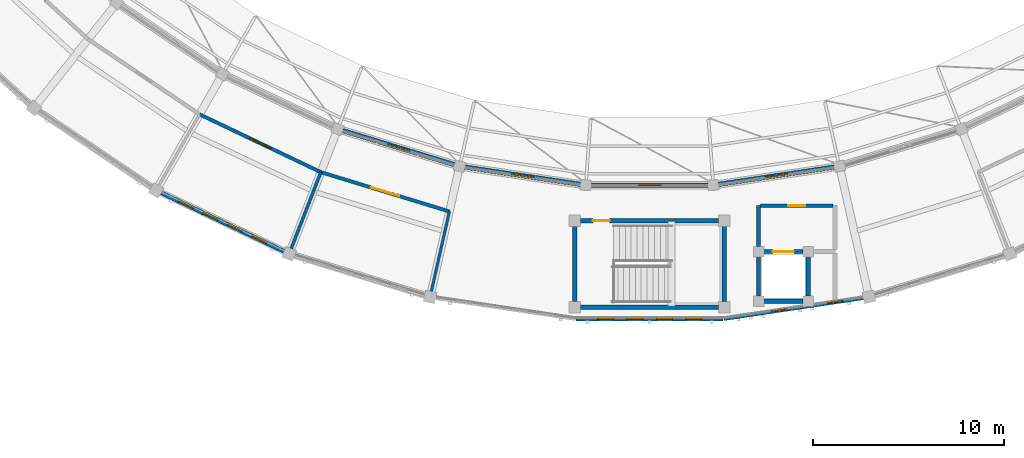
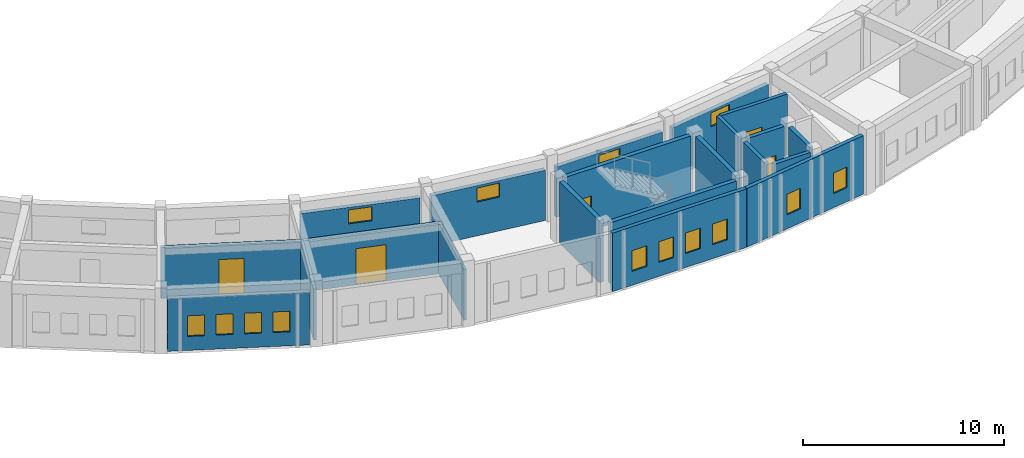
# One storey, part 80 of 112: 21 walls, 14 windows, 5 doors, 19 openings.
"""IFC4 building model written with IfcOpenShell, lengths in metres."""

import ifcopenshell
import ifcopenshell.guid

model = None  # the IFC model being written
_history = None  # IfcOwnerHistory: only IFC2X3 demands one
_inside = {}  # id of a spatial element -> (the spatial element, [elements in it])
_under = {}  # id of a project, library or spatial element -> (it, [spatial elements below it])
_declared = {}  # id of a project -> (the project, [libraries it declares])
_typed = {}  # id of a type object -> (the type object, [elements of that type])
_made_of = {}  # id of a material, layer set ... -> (it, [elements and type objects made of it])


def new_model(schema):
    """Start an empty IFC model of exactly this schema.

    Asked for "IFC4X3", IfcOpenShell would pick the latest addendum, in which some entities
    have other attributes; the version numbers below select the first issue.
    IFC2X3 requires an IfcOwnerHistory on every rooted entity: one is made here for all.
    """
    global model, _history
    if schema == "IFC4X3":
        model = ifcopenshell.file(schema_version=(4, 3, 0, 0))
    else:
        model = ifcopenshell.file(schema=schema)
    _inside.clear()
    _under.clear()
    _declared.clear()
    _typed.clear()
    _made_of.clear()
    _history = None
    if model.schema == "IFC2X3":
        org = make("IfcOrganization", Name="unknown")
        user = make(
            "IfcPersonAndOrganization",
            ThePerson=make("IfcPerson", FamilyName="unknown"),
            TheOrganization=org,
        )
        app = make(
            "IfcApplication",
            ApplicationDeveloper=org,
            Version="unknown",
            ApplicationFullName="unknown",
            ApplicationIdentifier="unknown",
        )
        _history = make(
            "IfcOwnerHistory",
            OwningUser=user,
            OwningApplication=app,
            ChangeAction="ADDED",
            CreationDate=0,
        )
    return model


def make(cls, **values):
    """One entity of the class cls with the attributes given. An attribute that is None is left unset."""
    return model.create_entity(
        cls, **{name: value for name, value in values.items() if value is not None}
    )


def rooted(cls, **values):
    """An entity with a GlobalId (a new one), such as an element, a storey or a relation."""
    return make(cls, GlobalId=ifcopenshell.guid.new(), OwnerHistory=_history, **values)


def si_unit(unit_type, name, prefix=None):
    """IfcSIUnit, for example si_unit("LENGTHUNIT", "METRE", prefix="MILLI")."""
    return make("IfcSIUnit", UnitType=unit_type, Prefix=prefix, Name=name)


def assignment(units):
    """IfcUnitAssignment: the units of a project."""
    return None if units is None else make("IfcUnitAssignment", Units=units)


def point(xyz):
    """IfcCartesianPoint."""
    return None if xyz is None else make("IfcCartesianPoint", Coordinates=xyz)


def direction(xyz):
    """IfcDirection."""
    return None if xyz is None else make("IfcDirection", DirectionRatios=xyz)


def frame(location, z_axis=None, x_axis=None):
    """IfcAxis2Placement3D, a coordinate frame: its origin and axes. An axis left out is left unset."""
    return make(
        "IfcAxis2Placement3D",
        Location=point(location),
        Axis=direction(z_axis),
        RefDirection=direction(x_axis),
    )


def frame_2d(location, x_axis=None):
    """IfcAxis2Placement2D, a coordinate frame in the plane: its origin and x axis."""
    return make(
        "IfcAxis2Placement2D", Location=point(location), RefDirection=direction(x_axis)
    )


def origin():
    """The frame at (0, 0, 0) with its axes left unset."""
    return frame((0.0, 0.0, 0.0))


def place(relative_to, where):
    """IfcLocalPlacement: puts the frame where relative to a parent placement (None: the world)."""
    return make(
        "IfcLocalPlacement", PlacementRelTo=relative_to, RelativePlacement=where
    )


def context(
    kind, dimensions, precision=None, world=None, true_north=None, identifier=None
):
    """IfcGeometricRepresentationContext, for example the 3D "Model" context."""
    return make(
        "IfcGeometricRepresentationContext",
        ContextIdentifier=identifier,
        ContextType=kind,
        CoordinateSpaceDimension=dimensions,
        Precision=precision,
        WorldCoordinateSystem=world,
        TrueNorth=true_north,
    )


def subcontext(parent, identifier, kind, view, scale=None):
    """IfcGeometricRepresentationSubContext, for example "Body" below "Model"."""
    return make(
        "IfcGeometricRepresentationSubContext",
        ContextIdentifier=identifier,
        ContextType=kind,
        ParentContext=parent,
        TargetScale=scale,
        TargetView=view,
    )


def project(units=None, contexts=None):
    """IfcProject with its units and contexts."""
    return rooted(
        "IfcProject",
        Name="project",
        RepresentationContexts=contexts,
        UnitsInContext=assignment(units),
    )


def spatial(cls, under=None, at=None, **own):
    """A site, building, storey or space (cls), placed at a placement, below another one or the project."""
    s = rooted(cls, ObjectPlacement=at, **own)
    if under is not None:
        _under.setdefault(under.id(), (under, []))[1].append(s)
    return s


def profile(cls, at=None, kind="AREA", **sizes):
    """A parametric profile (cls). Its sizes go by their IFC names, for example OverallWidth=200.0."""
    return make(cls, ProfileType=kind, Position=at, **sizes)


def rectangle(**sizes):
    """IfcRectangleProfileDef."""
    return profile("IfcRectangleProfileDef", **sizes)


def extrude(swept, where, along, depth):
    """IfcExtrudedAreaSolid: the profile swept, set in the frame where, extruded along a direction by depth."""
    return make(
        "IfcExtrudedAreaSolid",
        SweptArea=swept,
        Position=where,
        ExtrudedDirection=direction(along),
        Depth=depth,
    )


def shape(context_of_items, identifier, shape_type, items):
    """IfcShapeRepresentation: the items that make up one representation, for example the "Body"."""
    return make(
        "IfcShapeRepresentation",
        ContextOfItems=context_of_items,
        RepresentationIdentifier=identifier,
        RepresentationType=shape_type,
        Items=items,
    )


def material(Name=None, Category=None):
    """IfcMaterial."""
    return make("IfcMaterial", Name=Name, Category=Category)


def layer(
    of_material, thickness, ventilated=None, Name=None, Category=None, Priority=None
):
    """IfcMaterialLayer: one layer of a wall or slab, of a material (None: an air gap)."""
    return make(
        "IfcMaterialLayer",
        Material=of_material,
        LayerThickness=thickness,
        IsVentilated=ventilated,
        Name=Name,
        Category=Category,
        Priority=Priority,
    )


def layer_set(layers, Name=None):
    """IfcMaterialLayerSet."""
    return make("IfcMaterialLayerSet", MaterialLayers=layers, LayerSetName=Name)


def made_of(thing, what):
    """Note that an element or type object is made of a material, layer set ...; save() writes the relation."""
    if what is not None:
        _made_of.setdefault(what.id(), (what, []))[1].append(thing)
    return thing


def type_object(cls, material=None, **own):
    """A type object (cls), such as IfcWallType, which elements share."""
    return made_of(rooted(cls, **own), material)


def element(
    cls,
    number,
    at=None,
    inside=None,
    cuts=None,
    type_object=None,
    material=None,
    context=None,
    identifier="Body",
    shape_type=None,
    held_by="IfcProductDefinitionShape",
    body=None,
    shapes=None,
    **own,
):
    """One element of the class cls, such as IfcWall. Its Tag is "e" and its number.

    at: its placement. inside: the storey or other place that contains it. cuts: it is an
    opening in that element (IfcRelVoidsElement). A single representation is given by context,
    identifier, shape_type and body (its items); several are given by shapes. held_by: the class
    of the entity that holds the representations. save() writes the other relations.
    """
    e = rooted(cls, Tag="e%d" % number, ObjectPlacement=at, **own)
    if body is not None:
        shapes = [shape(context, identifier, shape_type, body)]
    if shapes is not None:
        e.Representation = make(held_by, Representations=shapes)
    if inside is not None:
        _inside.setdefault(inside.id(), (inside, []))[1].append(e)
    if cuts is not None:
        rooted(
            "IfcRelVoidsElement", RelatingBuildingElement=cuts, RelatedOpeningElement=e
        )
    if type_object is not None:
        _typed.setdefault(type_object.id(), (type_object, []))[1].append(e)
    return made_of(e, material)


def fill(opening, filler):
    """IfcRelFillsElement: the door or window that sits in an opening."""
    return rooted(
        "IfcRelFillsElement",
        RelatingOpeningElement=opening,
        RelatedBuildingElement=filler,
    )


def aggregate(whole, parts):
    """IfcRelAggregates: a whole, such as a stair, and the parts it consists of."""
    return rooted("IfcRelAggregates", RelatingObject=whole, RelatedObjects=parts)


def save(model, path):
    """Write the relations noted so far, then the file.

    IfcRelAggregates (storeys below a building ...), IfcRelContainedInSpatialStructure (elements
    in a storey), IfcRelDefinesByType, IfcRelAssociatesMaterial and IfcRelDeclares: one each for
    every whole, place, type object, material and project.
    """
    for whole, parts in _under.values():
        aggregate(whole, parts)
    for where, things in _inside.values():
        rooted(
            "IfcRelContainedInSpatialStructure",
            RelatedElements=things,
            RelatingStructure=where,
        )
    for kind, things in _typed.values():
        rooted("IfcRelDefinesByType", RelatedObjects=things, RelatingType=kind)
    for what, things in _made_of.values():
        rooted("IfcRelAssociatesMaterial", RelatedObjects=things, RelatingMaterial=what)
    for by, libraries in _declared.values():
        rooted("IfcRelDeclares", RelatingContext=by, RelatedDefinitions=libraries)
    model.write(path)


model = new_model("IFC4")

# Units and contexts
model_context = context("Model", 3, precision=1e-05, world=origin(), true_north=direction((0.0, 1.0)))
body_context = subcontext(model_context, "Body", "Model", "MODEL_VIEW")
ifc_project = project(units=[si_unit("LENGTHUNIT", "METRE"), si_unit("AREAUNIT", "SQUARE_METRE"), si_unit("VOLUMEUNIT", "CUBIC_METRE"), si_unit("PLANEANGLEUNIT", "RADIAN"), si_unit("MASSUNIT", "GRAM", prefix="KILO")], contexts=[model_context])

# Site, building, storey
site_placement = place(None, origin())
site = spatial("IfcSite", under=ifc_project, at=site_placement, CompositionType="ELEMENT")
building_placement = place(site_placement, origin())
building = spatial("IfcBuilding", under=site, at=building_placement, Name="Celadon Cloister-Ring School", CompositionType="ELEMENT")
storey_placement = place(building_placement, frame((0.0, 0.0, 8.5)))
storey = spatial("IfcBuildingStorey", under=building, at=storey_placement, Name="L02", CompositionType="ELEMENT", Elevation=8.5)

# Wall, opening, window
ifc_material_1 = material(Name="Rendered concrete blockwork", Category="masonry")
ifc_layer_1 = layer(ifc_material_1, 0.239990234375)
ifc_layer_set_1 = layer_set([ifc_layer_1], Name="Rendered concrete blockwork")
wall_type_1 = type_object("IfcWallType", Name="WT-EX3", PredefinedType="SOLIDWALL", material=ifc_layer_set_1)
wall_1_placement = place(storey_placement, frame((70.971923828125, 16.972900390625, 0.0), z_axis=(0.0, 0.0, 1.0), x_axis=(0.956385158861, -0.292108589245, 0.0)))
wall_1 = element("IfcWall", 1, at=wall_1_placement, inside=storey, type_object=wall_type_1, Name="Exterior Wall 0133", PredefinedType="SOLIDWALL", context=body_context, shape_type="SweptSolid", body=[
    extrude(rectangle(XDim=6.0927734375, YDim=0.239990234375, at=frame_2d((3.04638671875, 0.0))), origin(), (0.0, 0.0, 1.0), 3.050048828125),
])
opening_1_placement = place(wall_1_placement, frame((2.446044921875, 0.0, 2.050048828125)))
opening_1 = element("IfcOpeningElement", 2, at=opening_1_placement, cuts=wall_1, Name="Opening WN-49", PredefinedType="OPENING", context=body_context, shape_type="SweptSolid", body=[
    extrude(rectangle(XDim=1.199951171875, YDim=0.85009765625, at=frame_2d((0.60009765625, 0.425048828125))), frame((0.0, 0.1298828125, 0.0), z_axis=(0.0, -1.0, 0.0), x_axis=(1.0, 0.0, 0.0)), (0.0, 0.0, 1.0), 0.260009765625),
])
ifc_material_2 = material(Name="Tempered laminated insulating glass", Category="glass")
window_type_1 = type_object("IfcWindowType", Name="WN-49", PartitioningType="SINGLE_PANEL", PredefinedType="WINDOW", material=ifc_material_2)
window_1_placement = place(opening_1_placement, origin())
window_1 = element("IfcWindow", 3, at=window_1_placement, inside=storey, type_object=window_type_1, Name="Window 0350", OverallHeight=0.85009765625, OverallWidth=1.199951171875, PartitioningType="SINGLE_PANEL", PredefinedType="WINDOW", context=body_context, shape_type="SweptSolid", body=[
    extrude(rectangle(XDim=1.199951171875, YDim=0.85009765625, at=frame_2d((0.60009765625, 0.425048828125))), frame((0.0, 0.030029296875, 0.0), z_axis=(0.0, -1.0, 0.0), x_axis=(1.0, 0.0, 0.0)), (0.0, 0.0, 1.0), 0.06005859375),
])
fill(opening_1, window_1)

wall_2_placement = place(storey_placement, frame((77.35693359375, 15.06689453125, 0.0), z_axis=(0.0, 0.0, 1.0), x_axis=(0.989009413768, -0.147852559932, 0.0)))
wall_2 = element("IfcWall", 4, at=wall_2_placement, inside=storey, type_object=wall_type_1, Name="Exterior Wall 0135", PredefinedType="SOLIDWALL", context=body_context, shape_type="SweptSolid", body=[
    extrude(rectangle(XDim=6.093017578125, YDim=0.239990234375, at=frame_2d((3.04638671875, 0.0))), origin(), (0.0, 0.0, 1.0), 3.050048828125),
])
opening_2_placement = place(wall_2_placement, frame((2.446044921875, 0.0, 2.050048828125)))
opening_2 = element("IfcOpeningElement", 5, at=opening_2_placement, cuts=wall_2, Name="Opening WN-49", PredefinedType="OPENING", context=body_context, shape_type="SweptSolid", body=[
    extrude(rectangle(XDim=1.199951171875, YDim=0.85009765625, at=frame_2d((0.60009765625, 0.425048828125))), frame((0.0, 0.1298828125, 0.0), z_axis=(0.0, -1.0, 0.0), x_axis=(1.0, 0.0, 0.0)), (0.0, 0.0, 1.0), 0.260009765625),
])
window_2_placement = place(opening_2_placement, origin())
window_2 = element("IfcWindow", 6, at=window_2_placement, inside=storey, type_object=window_type_1, Name="Window 0355", OverallHeight=0.85009765625, OverallWidth=1.199951171875, PartitioningType="SINGLE_PANEL", PredefinedType="WINDOW", context=body_context, shape_type="SweptSolid", body=[
    extrude(rectangle(XDim=1.199951171875, YDim=0.85009765625, at=frame_2d((0.60009765625, 0.425048828125))), frame((0.0, 0.030029296875, 0.0), z_axis=(0.0, -1.0, 0.0), x_axis=(1.0, 0.0, 0.0)), (0.0, 0.0, 1.0), 0.06005859375),
])
fill(opening_2, window_2)

wall_3_placement = place(storey_placement, frame((83.9541015625, 14.1240234375, 0.0), z_axis=(0.0, 0.0, 1.0), x_axis=(1.0, 0.0, 0.0)))
wall_3 = element("IfcWall", 7, at=wall_3_placement, inside=storey, type_object=wall_type_1, Name="Exterior Wall 0137", PredefinedType="SOLIDWALL", context=body_context, shape_type="SweptSolid", body=[
    extrude(rectangle(XDim=6.091796875, YDim=0.239990234375, at=frame_2d((3.0458984375, 0.0))), origin(), (0.0, 0.0, 1.0), 3.050048828125),
])
opening_3_placement = place(wall_3_placement, frame((2.446044921875, 0.0, 2.050048828125)))
opening_3 = element("IfcOpeningElement", 8, at=opening_3_placement, cuts=wall_3, Name="Opening WN-49", PredefinedType="OPENING", context=body_context, shape_type="SweptSolid", body=[
    extrude(rectangle(XDim=1.199951171875, YDim=0.85009765625, at=frame_2d((0.60009765625, 0.425048828125))), frame((0.0, 0.1298828125, 0.0), z_axis=(0.0, -1.0, 0.0), x_axis=(1.0, 0.0, 0.0)), (0.0, 0.0, 1.0), 0.260009765625),
])
window_3_placement = place(opening_3_placement, origin())
window_3 = element("IfcWindow", 9, at=window_3_placement, inside=storey, type_object=window_type_1, Name="Window 0360", OverallHeight=0.85009765625, OverallWidth=1.199951171875, PartitioningType="SINGLE_PANEL", PredefinedType="WINDOW", context=body_context, shape_type="SweptSolid", body=[
    extrude(rectangle(XDim=1.199951171875, YDim=0.85009765625, at=frame_2d((0.60009765625, 0.425048828125))), frame((0.0, 0.030029296875, 0.0), z_axis=(0.0, -1.0, 0.0), x_axis=(1.0, 0.0, 0.0)), (0.0, 0.0, 1.0), 0.06005859375),
])
fill(opening_3, window_3)

wall_4_placement = place(storey_placement, frame((90.616943359375, 14.166015625, 0.0), z_axis=(0.0, 0.0, 1.0), x_axis=(0.989009413768, 0.147852559932, 0.0)))
wall_4 = element("IfcWall", 10, at=wall_4_placement, inside=storey, type_object=wall_type_1, Name="Exterior Wall 0139", PredefinedType="SOLIDWALL", context=body_context, shape_type="SweptSolid", body=[
    extrude(rectangle(XDim=6.093017578125, YDim=0.239990234375, at=frame_2d((3.04638671875, 0.0))), origin(), (0.0, 0.0, 1.0), 3.050048828125),
])
opening_4_placement = place(wall_4_placement, frame((2.446044921875, 0.0, 2.050048828125)))
opening_4 = element("IfcOpeningElement", 11, at=opening_4_placement, cuts=wall_4, Name="Opening WN-49", PredefinedType="OPENING", context=body_context, shape_type="SweptSolid", body=[
    extrude(rectangle(XDim=1.199951171875, YDim=0.85009765625, at=frame_2d((0.60009765625, 0.425048828125))), frame((0.0, 0.1298828125, 0.0), z_axis=(0.0, -1.0, 0.0), x_axis=(1.0, 0.0, 0.0)), (0.0, 0.0, 1.0), 0.260009765625),
])
window_4_placement = place(opening_4_placement, origin())
window_4 = element("IfcWindow", 12, at=window_4_placement, inside=storey, type_object=window_type_1, Name="Window 0363", OverallHeight=0.85009765625, OverallWidth=1.199951171875, PartitioningType="SINGLE_PANEL", PredefinedType="WINDOW", context=body_context, shape_type="SweptSolid", body=[
    extrude(rectangle(XDim=1.199951171875, YDim=0.85009765625, at=frame_2d((0.60009765625, 0.425048828125))), frame((0.0, 0.030029296875, 0.0), z_axis=(0.0, -1.0, 0.0), x_axis=(1.0, 0.0, 0.0)), (0.0, 0.0, 1.0), 0.06005859375),
])
fill(opening_4, window_4)

# Wall, openings, windows
ifc_material_3 = material(Name="Perforated terracotta clay brick masonry", Category="masonry")
ifc_layer_2 = layer(ifc_material_3, 0.219970703125)
ifc_layer_set_2 = layer_set([ifc_layer_2], Name="Perforated terracotta clay brick masonry")
wall_type_2 = type_object("IfcWallType", Name="WT-EX4", PredefinedType="SOLIDWALL", material=ifc_layer_set_2)
wall_5_placement = place(storey_placement, frame((67.881103515625, 10.666015625, 0.0), z_axis=(0.0, 0.0, 1.0), x_axis=(-0.902694754948, 0.430281511792, 0.0)))
wall_5 = element("IfcWall", 13, at=wall_5_placement, inside=storey, type_object=wall_type_2, Name="Exterior Wall 0130", PredefinedType="SOLIDWALL", context=body_context, shape_type="SweptSolid", body=[
    extrude(rectangle(XDim=7.0810546875, YDim=0.219970703125, at=frame_2d((3.54052734375, 0.0))), origin(), (0.0, 0.0, 1.0), 3.19189453125),
])
opening_5_placement = place(wall_5_placement, frame((0.990966796875, 0.0, 0.85009765625)))
opening_5 = element("IfcOpeningElement", 14, at=opening_5_placement, cuts=wall_5, Name="Opening WN-11", PredefinedType="OPENING", context=body_context, shape_type="SweptSolid", body=[
    extrude(rectangle(XDim=0.85009765625, YDim=1.25, at=frame_2d((0.425048828125, 0.625))), frame((0.0, 0.1201171875, 0.0), z_axis=(0.0, -1.0, 0.0), x_axis=(1.0, 0.0, 0.0)), (0.0, 0.0, 1.0), 0.239990234375),
])
opening_6_placement = place(wall_5_placement, frame((2.406982421875, 0.0, 0.85009765625)))
opening_6 = element("IfcOpeningElement", 15, at=opening_6_placement, cuts=wall_5, Name="Opening WN-11", PredefinedType="OPENING", context=body_context, shape_type="SweptSolid", body=[
    extrude(rectangle(XDim=0.85009765625, YDim=1.25, at=frame_2d((0.425048828125, 0.625))), frame((0.0, 0.1201171875, 0.0), z_axis=(0.0, -1.0, 0.0), x_axis=(1.0, 0.0, 0.0)), (0.0, 0.0, 1.0), 0.239990234375),
])
opening_7_placement = place(wall_5_placement, frame((3.823974609375, 0.0, 0.85009765625)))
opening_7 = element("IfcOpeningElement", 16, at=opening_7_placement, cuts=wall_5, Name="Opening WN-11", PredefinedType="OPENING", context=body_context, shape_type="SweptSolid", body=[
    extrude(rectangle(XDim=0.85009765625, YDim=1.25, at=frame_2d((0.425048828125, 0.625))), frame((0.0, 0.1201171875, 0.0), z_axis=(0.0, -1.0, 0.0), x_axis=(1.0, 0.0, 0.0)), (0.0, 0.0, 1.0), 0.239990234375),
])
opening_8_placement = place(wall_5_placement, frame((5.239990234375, 0.0, 0.85009765625)))
opening_8 = element("IfcOpeningElement", 17, at=opening_8_placement, cuts=wall_5, Name="Opening WN-11", PredefinedType="OPENING", context=body_context, shape_type="SweptSolid", body=[
    extrude(rectangle(XDim=0.85009765625, YDim=1.25, at=frame_2d((0.425048828125, 0.625))), frame((0.0, 0.1201171875, 0.0), z_axis=(0.0, -1.0, 0.0), x_axis=(1.0, 0.0, 0.0)), (0.0, 0.0, 1.0), 0.239990234375),
])
ifc_material_4 = material(Name="Tempered laminated insulating glass", Category="glass")
window_type_2 = type_object("IfcWindowType", Name="WN-11", PartitioningType="SINGLE_PANEL", PredefinedType="WINDOW", material=ifc_material_4)
window_5_placement = place(opening_5_placement, origin())
window_5 = element("IfcWindow", 18, at=window_5_placement, inside=storey, type_object=window_type_2, Name="Window 0341", OverallHeight=1.25, OverallWidth=0.85009765625, PartitioningType="SINGLE_PANEL", PredefinedType="WINDOW", context=body_context, shape_type="SweptSolid", body=[
    extrude(rectangle(XDim=0.85009765625, YDim=1.25, at=frame_2d((0.425048828125, 0.625))), frame((0.0, 0.030029296875, 0.0), z_axis=(0.0, -1.0, 0.0), x_axis=(1.0, 0.0, 0.0)), (0.0, 0.0, 1.0), 0.06005859375),
])
fill(opening_5, window_5)
window_6_placement = place(opening_6_placement, origin())
window_6 = element("IfcWindow", 19, at=window_6_placement, inside=storey, type_object=window_type_2, Name="Window 0342", OverallHeight=1.25, OverallWidth=0.85009765625, PartitioningType="SINGLE_PANEL", PredefinedType="WINDOW", context=body_context, shape_type="SweptSolid", body=[
    extrude(rectangle(XDim=0.85009765625, YDim=1.25, at=frame_2d((0.425048828125, 0.625))), frame((0.0, 0.030029296875, 0.0), z_axis=(0.0, -1.0, 0.0), x_axis=(1.0, 0.0, 0.0)), (0.0, 0.0, 1.0), 0.06005859375),
])
fill(opening_6, window_6)
window_7_placement = place(opening_7_placement, origin())
window_7 = element("IfcWindow", 20, at=window_7_placement, inside=storey, type_object=window_type_2, Name="Window 0343", OverallHeight=1.25, OverallWidth=0.85009765625, PartitioningType="SINGLE_PANEL", PredefinedType="WINDOW", context=body_context, shape_type="SweptSolid", body=[
    extrude(rectangle(XDim=0.85009765625, YDim=1.25, at=frame_2d((0.425048828125, 0.625))), frame((0.0, 0.030029296875, 0.0), z_axis=(0.0, -1.0, 0.0), x_axis=(1.0, 0.0, 0.0)), (0.0, 0.0, 1.0), 0.06005859375),
])
fill(opening_7, window_7)
window_8_placement = place(opening_8_placement, origin())
window_8 = element("IfcWindow", 21, at=window_8_placement, inside=storey, type_object=window_type_2, Name="Window 0344", OverallHeight=1.25, OverallWidth=0.85009765625, PartitioningType="SINGLE_PANEL", PredefinedType="WINDOW", context=body_context, shape_type="SweptSolid", body=[
    extrude(rectangle(XDim=0.85009765625, YDim=1.25, at=frame_2d((0.425048828125, 0.625))), frame((0.0, 0.030029296875, 0.0), z_axis=(0.0, -1.0, 0.0), x_axis=(1.0, 0.0, 0.0)), (0.0, 0.0, 1.0), 0.06005859375),
])
fill(opening_8, window_8)

wall_6_placement = place(storey_placement, frame((90.85205078125, 7.14306640625, 0.0), z_axis=(0.0, 0.0, 1.0), x_axis=(-1.0, 0.0, 0.0)))
wall_6 = element("IfcWall", 22, at=wall_6_placement, inside=storey, type_object=wall_type_2, Name="Exterior Wall 0136", PredefinedType="SOLIDWALL", context=body_context, shape_type="SweptSolid", body=[
    extrude(rectangle(XDim=7.68603515625, YDim=0.219970703125, at=frame_2d((3.843017578125, 0.0))), origin(), (0.0, 0.0, 1.0), 3.550048828125),
])
opening_9_placement = place(wall_6_placement, frame((1.112060546875, 0.0, 0.85009765625)))
opening_9 = element("IfcOpeningElement", 23, at=opening_9_placement, cuts=wall_6, Name="Opening WN-11", PredefinedType="OPENING", context=body_context, shape_type="SweptSolid", body=[
    extrude(rectangle(XDim=0.85009765625, YDim=1.25, at=frame_2d((0.425048828125, 0.625))), frame((0.0, 0.1201171875, 0.0), z_axis=(0.0, -1.0, 0.0), x_axis=(1.0, 0.0, 0.0)), (0.0, 0.0, 1.0), 0.239990234375),
])
opening_10_placement = place(wall_6_placement, frame((2.64892578125, 0.0, 0.85009765625)))
opening_10 = element("IfcOpeningElement", 24, at=opening_10_placement, cuts=wall_6, Name="Opening WN-11", PredefinedType="OPENING", context=body_context, shape_type="SweptSolid", body=[
    extrude(rectangle(XDim=0.85009765625, YDim=1.25, at=frame_2d((0.425048828125, 0.625))), frame((0.0, 0.1201171875, 0.0), z_axis=(0.0, -1.0, 0.0), x_axis=(1.0, 0.0, 0.0)), (0.0, 0.0, 1.0), 0.239990234375),
])
opening_11_placement = place(wall_6_placement, frame((4.18701171875, 0.0, 0.85009765625)))
opening_11 = element("IfcOpeningElement", 25, at=opening_11_placement, cuts=wall_6, Name="Opening WN-11", PredefinedType="OPENING", context=body_context, shape_type="SweptSolid", body=[
    extrude(rectangle(XDim=0.85009765625, YDim=1.25, at=frame_2d((0.425048828125, 0.625))), frame((0.0, 0.1201171875, 0.0), z_axis=(0.0, -1.0, 0.0), x_axis=(1.0, 0.0, 0.0)), (0.0, 0.0, 1.0), 0.239990234375),
])
opening_12_placement = place(wall_6_placement, frame((5.72412109375, 0.0, 0.85009765625)))
opening_12 = element("IfcOpeningElement", 26, at=opening_12_placement, cuts=wall_6, Name="Opening WN-11", PredefinedType="OPENING", context=body_context, shape_type="SweptSolid", body=[
    extrude(rectangle(XDim=0.85009765625, YDim=1.25, at=frame_2d((0.425048828125, 0.625))), frame((0.0, 0.1201171875, 0.0), z_axis=(0.0, -1.0, 0.0), x_axis=(1.0, 0.0, 0.0)), (0.0, 0.0, 1.0), 0.239990234375),
])
window_9_placement = place(opening_9_placement, origin())
window_9 = element("IfcWindow", 27, at=window_9_placement, inside=storey, type_object=window_type_2, Name="Window 0356", OverallHeight=1.25, OverallWidth=0.85009765625, PartitioningType="SINGLE_PANEL", PredefinedType="WINDOW", context=body_context, shape_type="SweptSolid", body=[
    extrude(rectangle(XDim=0.85009765625, YDim=1.25, at=frame_2d((0.425048828125, 0.625))), frame((0.0, 0.030029296875, 0.0), z_axis=(0.0, -1.0, 0.0), x_axis=(1.0, 0.0, 0.0)), (0.0, 0.0, 1.0), 0.06005859375),
])
fill(opening_9, window_9)
window_10_placement = place(opening_10_placement, origin())
window_10 = element("IfcWindow", 28, at=window_10_placement, inside=storey, type_object=window_type_2, Name="Window 0357", OverallHeight=1.25, OverallWidth=0.85009765625, PartitioningType="SINGLE_PANEL", PredefinedType="WINDOW", context=body_context, shape_type="SweptSolid", body=[
    extrude(rectangle(XDim=0.85009765625, YDim=1.25, at=frame_2d((0.425048828125, 0.625))), frame((0.0, 0.030029296875, 0.0), z_axis=(0.0, -1.0, 0.0), x_axis=(1.0, 0.0, 0.0)), (0.0, 0.0, 1.0), 0.06005859375),
])
fill(opening_10, window_10)
window_11_placement = place(opening_11_placement, origin())
window_11 = element("IfcWindow", 29, at=window_11_placement, inside=storey, type_object=window_type_2, Name="Window 0358", OverallHeight=1.25, OverallWidth=0.85009765625, PartitioningType="SINGLE_PANEL", PredefinedType="WINDOW", context=body_context, shape_type="SweptSolid", body=[
    extrude(rectangle(XDim=0.85009765625, YDim=1.25, at=frame_2d((0.425048828125, 0.625))), frame((0.0, 0.030029296875, 0.0), z_axis=(0.0, -1.0, 0.0), x_axis=(1.0, 0.0, 0.0)), (0.0, 0.0, 1.0), 0.06005859375),
])
fill(opening_11, window_11)
window_12_placement = place(opening_12_placement, origin())
window_12 = element("IfcWindow", 30, at=window_12_placement, inside=storey, type_object=window_type_2, Name="Window 0359", OverallHeight=1.25, OverallWidth=0.85009765625, PartitioningType="SINGLE_PANEL", PredefinedType="WINDOW", context=body_context, shape_type="SweptSolid", body=[
    extrude(rectangle(XDim=0.85009765625, YDim=1.25, at=frame_2d((0.425048828125, 0.625))), frame((0.0, 0.030029296875, 0.0), z_axis=(0.0, -1.0, 0.0), x_axis=(1.0, 0.0, 0.0)), (0.0, 0.0, 1.0), 0.06005859375),
])
fill(opening_12, window_12)

wall_7_placement = place(storey_placement, frame((98.1630859375, 8.235107421875, 0.0), z_axis=(0.0, 0.0, 1.0), x_axis=(-0.989032314976, -0.147699288869, 0.0)))
wall_7 = element("IfcWall", 31, at=wall_7_placement, inside=storey, type_object=wall_type_2, Name="Exterior Wall 0138", PredefinedType="SOLIDWALL", context=body_context, shape_type="SweptSolid", body=[
    extrude(rectangle(XDim=7.373779296875, YDim=0.219970703125, at=frame_2d((3.68701171875, 0.0))), origin(), (0.0, 0.0, 1.0), 3.550048828125),
])
opening_13_placement = place(wall_7_placement, frame((1.050048828125, 0.0, 0.85009765625)))
opening_13 = element("IfcOpeningElement", 32, at=opening_13_placement, cuts=wall_7, Name="Opening WN-11", PredefinedType="OPENING", context=body_context, shape_type="SweptSolid", body=[
    extrude(rectangle(XDim=0.85009765625, YDim=1.25, at=frame_2d((0.425048828125, 0.625))), frame((0.0, 0.1201171875, 0.0), z_axis=(0.0, -1.0, 0.0), x_axis=(1.0, 0.0, 0.0)), (0.0, 0.0, 1.0), 0.239990234375),
])
opening_14_placement = place(wall_7_placement, frame((3.9990234375, 0.0, 0.85009765625)))
opening_14 = element("IfcOpeningElement", 33, at=opening_14_placement, cuts=wall_7, Name="Opening WN-11", PredefinedType="OPENING", context=body_context, shape_type="SweptSolid", body=[
    extrude(rectangle(XDim=0.85009765625, YDim=1.25, at=frame_2d((0.425048828125, 0.625))), frame((0.0, 0.1201171875, 0.0), z_axis=(0.0, -1.0, 0.0), x_axis=(1.0, 0.0, 0.0)), (0.0, 0.0, 1.0), 0.239990234375),
])
window_13_placement = place(opening_13_placement, origin())
window_13 = element("IfcWindow", 34, at=window_13_placement, inside=storey, type_object=window_type_2, Name="Window 0361", OverallHeight=1.25, OverallWidth=0.85009765625, PartitioningType="SINGLE_PANEL", PredefinedType="WINDOW", context=body_context, shape_type="SweptSolid", body=[
    extrude(rectangle(XDim=0.85009765625, YDim=1.25, at=frame_2d((0.425048828125, 0.625))), frame((0.0, 0.030029296875, 0.0), z_axis=(0.0, -1.0, 0.0), x_axis=(1.0, 0.0, 0.0)), (0.0, 0.0, 1.0), 0.06005859375),
])
fill(opening_13, window_13)
window_14_placement = place(opening_14_placement, origin())
window_14 = element("IfcWindow", 35, at=window_14_placement, inside=storey, type_object=window_type_2, Name="Window 0362", OverallHeight=1.25, OverallWidth=0.85009765625, PartitioningType="SINGLE_PANEL", PredefinedType="WINDOW", context=body_context, shape_type="SweptSolid", body=[
    extrude(rectangle(XDim=0.85009765625, YDim=1.25, at=frame_2d((0.425048828125, 0.625))), frame((0.0, 0.030029296875, 0.0), z_axis=(0.0, -1.0, 0.0), x_axis=(1.0, 0.0, 0.0)), (0.0, 0.0, 1.0), 0.06005859375),
])
fill(opening_14, window_14)

# Wall
ifc_material_5 = material(Name="Plastered hollow concrete masonry", Category="masonry")
ifc_layer_3 = layer(ifc_material_5, 0.199951171875)
ifc_layer_set_3 = layer_set([ifc_layer_3], Name="Plastered hollow concrete masonry")
wall_type_3 = type_object("IfcWallType", Name="WT-PT1", PredefinedType="PARTITIONING", material=ifc_layer_set_3)
wall_8_placement = place(storey_placement, frame((92.699951171875, 10.9169921875, 0.0), z_axis=(0.0, 0.0, 1.0), x_axis=(0.0, 1.0, 0.0)))
element("IfcWall", 36, at=wall_8_placement, inside=storey, type_object=wall_type_3, Name="Interior Wall 0321", PredefinedType="PARTITIONING", context=body_context, shape_type="SweptSolid", body=[
    extrude(rectangle(XDim=2.133056640625, YDim=0.199951171875, at=frame_2d((1.06640625, 0.0))), origin(), (0.0, 0.0, 1.0), 3.699951171875),
])

# Wall, opening, door
wall_9_placement = place(storey_placement, frame((92.802978515625, 13.050048828125, 0.0), z_axis=(0.0, 0.0, 1.0), x_axis=(1.0, 0.0, 0.0)))
wall_9 = element("IfcWall", 37, at=wall_9_placement, inside=storey, type_object=wall_type_3, Name="Interior Wall 0325", PredefinedType="PARTITIONING", context=body_context, shape_type="SweptSolid", body=[
    extrude(rectangle(XDim=3.7939453125, YDim=0.199951171875, at=frame_2d((1.89697265625, 0.0))), origin(), (0.0, 0.0, 1.0), 3.699951171875),
])
opening_15_placement = place(wall_9_placement, frame((1.447021484375, 0.0, 0.0)))
opening_15 = element("IfcOpeningElement", 38, at=opening_15_placement, cuts=wall_9, Name="Opening D-0099", PredefinedType="OPENING", context=body_context, shape_type="SweptSolid", body=[
    extrude(rectangle(XDim=0.89990234375, YDim=2.199951171875, at=frame_2d((0.449951171875, 1.10009765625))), frame((0.0, 0.10986328125, 0.0), z_axis=(0.0, -1.0, 0.0), x_axis=(1.0, 0.0, 0.0)), (0.0, 0.0, 1.0), 0.219970703125),
])
ifc_material_6 = material(Name="Solid-core fire-rated hardwood leaf", Category="wood")
door_type_1 = type_object("IfcDoorType", Name="DT-06", OperationType="NOTDEFINED", PredefinedType="DOOR", material=ifc_material_6)
door_1_placement = place(opening_15_placement, origin())
door_1 = element("IfcDoor", 39, at=door_1_placement, inside=storey, type_object=door_type_1, Name="Door D-0099", OperationType="SINGLE_SWING_LEFT", OverallHeight=2.199951171875, OverallWidth=0.89990234375, PredefinedType="DOOR", context=body_context, shape_type="SweptSolid", body=[
    extrude(rectangle(XDim=0.89990234375, YDim=2.199951171875, at=frame_2d((0.449951171875, 1.10009765625))), frame((0.0, 0.02490234375, 0.0), z_axis=(0.0, -1.0, 0.0), x_axis=(1.0, 0.0, 0.0)), (0.0, 0.0, 1.0), 0.050048828125),
])
fill(opening_15, door_1)

ifc_material_7 = material(Name="Plastered hollow concrete masonry", Category="masonry")
ifc_layer_4 = layer(ifc_material_7, 0.179931640625)
ifc_layer_set_4 = layer_set([ifc_layer_4], Name="Plastered hollow concrete masonry")
wall_type_4 = type_object("IfcWallType", Name="WT-PT2", PredefinedType="PARTITIONING", material=ifc_layer_set_4)
wall_10_placement = place(storey_placement, frame((63.47900390625, 17.823974609375, 0.0), z_axis=(0.0, 0.0, 1.0), x_axis=(0.90269858831, -0.430273469625, 0.0)))
wall_10 = element("IfcWall", 40, at=wall_10_placement, inside=storey, type_object=wall_type_4, Name="Interior Wall 0574", PredefinedType="PARTITIONING", context=body_context, shape_type="SweptSolid", body=[
    extrude(rectangle(XDim=7.025634765625, YDim=0.179931640625, at=frame_2d((3.5126953125, 0.0))), origin(), (0.0, 0.0, 1.0), 3.092041015625),
])
opening_16_placement = place(wall_10_placement, frame((2.887939453125, 0.0, 0.0)))
opening_16 = element("IfcOpeningElement", 41, at=opening_16_placement, cuts=wall_10, Name="Opening D-0189", PredefinedType="OPENING", context=body_context, shape_type="SweptSolid", body=[
    extrude(rectangle(XDim=1.25, YDim=2.199951171875, at=frame_2d((0.625, 1.10009765625))), frame((0.0, 0.10009765625, 0.0), z_axis=(0.0, -1.0, 0.0), x_axis=(1.0, 0.0, 0.0)), (0.0, 0.0, 1.0), 0.199951171875),
])
ifc_material_8 = material(Name="Galvanised fire-rated hollow steel leaf", Category="steel")
door_type_2 = type_object("IfcDoorType", Name="DT-10", OperationType="NOTDEFINED", PredefinedType="DOOR", material=ifc_material_8)
door_2_placement = place(opening_16_placement, origin())
door_2 = element("IfcDoor", 42, at=door_2_placement, inside=storey, type_object=door_type_2, Name="Door D-0189", OperationType="SINGLE_SWING_LEFT", OverallHeight=2.199951171875, OverallWidth=1.25, PredefinedType="DOOR", context=body_context, shape_type="SweptSolid", body=[
    extrude(rectangle(XDim=1.25, YDim=2.199951171875, at=frame_2d((0.625, 1.10009765625))), frame((0.0, 0.02490234375, 0.0), z_axis=(0.0, -1.0, 0.0), x_axis=(1.0, 0.0, 0.0)), (0.0, 0.0, 1.0), 0.050048828125),
])
fill(opening_16, door_2)

wall_11_placement = place(storey_placement, frame((69.821044921875, 14.801025390625, 0.0), z_axis=(0.0, 0.0, 1.0), x_axis=(0.956341588058, -0.292251205218, 0.0)))
wall_11 = element("IfcWall", 43, at=wall_11_placement, inside=storey, type_object=wall_type_4, Name="Interior Wall 0575", PredefinedType="PARTITIONING", context=body_context, shape_type="SweptSolid", body=[
    extrude(rectangle(XDim=7.024658203125, YDim=0.179931640625, at=frame_2d((3.51220703125, 0.0))), origin(), (0.0, 0.0, 1.0), 3.092041015625),
])
opening_17_placement = place(wall_11_placement, frame((2.737060546875, 0.0, 0.0)))
opening_17 = element("IfcOpeningElement", 44, at=opening_17_placement, cuts=wall_11, Name="Opening D-0190", PredefinedType="OPENING", context=body_context, shape_type="SweptSolid", body=[
    extrude(rectangle(XDim=1.550048828125, YDim=2.199951171875, at=frame_2d((0.77490234375, 1.10009765625))), frame((0.0, 0.10009765625, 0.0), z_axis=(0.0, -1.0, 0.0), x_axis=(1.0, 0.0, 0.0)), (0.0, 0.0, 1.0), 0.199951171875),
])
ifc_material_9 = material(Name="Galvanised fire-rated hollow steel leaf", Category="steel")
door_type_3 = type_object("IfcDoorType", Name="DT-13", OperationType="NOTDEFINED", PredefinedType="DOOR", material=ifc_material_9)
door_3_placement = place(opening_17_placement, origin())
door_3 = element("IfcDoor", 45, at=door_3_placement, inside=storey, type_object=door_type_3, Name="Door D-0190", OperationType="SINGLE_SWING_RIGHT", OverallHeight=2.199951171875, OverallWidth=1.550048828125, PredefinedType="DOOR", context=body_context, shape_type="SweptSolid", body=[
    extrude(rectangle(XDim=1.550048828125, YDim=2.199951171875, at=frame_2d((0.77490234375, 1.10009765625))), frame((0.0, 0.02490234375, 0.0), z_axis=(0.0, -1.0, 0.0), x_axis=(1.0, 0.0, 0.0)), (0.0, 0.0, 1.0), 0.050048828125),
])
fill(opening_17, door_3)

# Walls
ifc_material_10 = material(Name="Plastered hollow concrete masonry", Category="masonry")
ifc_layer_5 = layer(ifc_material_10, 0.159912109375)
ifc_layer_set_5 = layer_set([ifc_layer_5], Name="Plastered hollow concrete masonry")
wall_type_5 = type_object("IfcWallType", Name="WT-PT3", PredefinedType="PARTITIONING", material=ifc_layer_set_5)
wall_12_placement = place(storey_placement, frame((69.821044921875, 14.801025390625, 0.0), z_axis=(0.0, 0.0, 1.0), x_axis=(-0.362155011762, -0.932117882811, 0.0)))
element("IfcWall", 46, at=wall_12_placement, inside=storey, type_object=wall_type_5, Name="Interior Wall 0545", PredefinedType="PARTITIONING", context=body_context, shape_type="SweptSolid", body=[
    extrude(rectangle(XDim=4.2880859375, YDim=0.159912109375, at=frame_2d((2.14404296875, 0.0))), origin(), (0.0, 0.0, 1.0), 3.092041015625),
])
ifc_material_11 = material(Name="Acoustic mineral-wool drywall partition")
ifc_layer_6 = layer(ifc_material_11, 0.139892578125)
ifc_layer_set_6 = layer_set([ifc_layer_6], Name="Acoustic mineral-wool drywall partition")
wall_type_6 = type_object("IfcWallType", Name="WT-PT4", PredefinedType="PARTITIONING", material=ifc_layer_set_6)
wall_13_placement = place(storey_placement, frame((76.5390625, 12.748046875, 0.0), z_axis=(0.0, 0.0, 1.0), x_axis=(-0.220636592658, -0.975356085735, 0.0)))
element("IfcWall", 47, at=wall_13_placement, inside=storey, type_object=wall_type_6, Name="Interior Wall 0546", PredefinedType="PARTITIONING", context=body_context, shape_type="SweptSolid", body=[
    extrude(rectangle(XDim=4.287841796875, YDim=0.139892578125, at=frame_2d((2.14404296875, 0.0))), origin(), (0.0, 0.0, 1.0), 3.092041015625),
])
ifc_material_12 = material(Name="Concrete C40/50", Category="concrete")
ifc_layer_7 = layer(ifc_material_12, 0.239990234375)
ifc_layer_set_7 = layer_set([ifc_layer_7], Name="Concrete C40/50")
wall_type_7 = type_object("IfcWallType", Name="WT-SH1", PredefinedType="SHEAR", material=ifc_layer_set_7)
for number, where, z_axis, x_axis, name in (
    (48, (83.10009765625, 8.0419921875, 0.0), (0.0, 0.0, 1.0), (0.0, 1.0, 0.0), "Interior Wall 0169"),
    (49, (90.89990234375, 11.97802734375, 0.0), (0.0, 0.0, 1.0), (0.0, -1.0, 0.0), "Interior Wall 0170"),
):
    element("IfcWall", number, at=place(storey_placement, frame(where, z_axis=z_axis, x_axis=x_axis)), inside=storey, type_object=wall_type_7, Name=name, PredefinedType="SHEAR", context=body_context, shape_type="SweptSolid", body=[
        extrude(rectangle(XDim=3.93603515625, YDim=0.239990234375, at=frame_2d((1.968017578125, 0.0))), origin(), (0.0, 0.0, 1.0), 3.739990234375),
    ])
wall_14_placement = place(storey_placement, frame((90.60791015625, 7.75, 0.0), z_axis=(0.0, 0.0, 1.0), x_axis=(-1.0, 0.0, 0.0)))
element("IfcWall", 50, at=wall_14_placement, inside=storey, type_object=wall_type_7, Name="Interior Wall 0171", PredefinedType="SHEAR", context=body_context, shape_type="SweptSolid", body=[
    extrude(rectangle(XDim=7.2158203125, YDim=0.239990234375, at=frame_2d((3.60791015625, 0.0))), origin(), (0.0, 0.0, 1.0), 3.739990234375),
])

# Wall, opening, door
wall_15_placement = place(storey_placement, frame((90.60791015625, 12.27001953125, 0.0), z_axis=(0.0, 0.0, 1.0), x_axis=(-1.0, 0.0, 0.0)))
wall_15 = element("IfcWall", 51, at=wall_15_placement, inside=storey, type_object=wall_type_7, Name="Interior Wall 0172", PredefinedType="SHEAR", context=body_context, shape_type="SweptSolid", body=[
    extrude(rectangle(XDim=7.2158203125, YDim=0.239990234375, at=frame_2d((3.60791015625, 0.0))), origin(), (0.0, 0.0, 1.0), 3.739990234375),
])
opening_18_placement = place(wall_15_placement, frame((5.694091796875, 0.0, 0.0)))
opening_18 = element("IfcOpeningElement", 52, at=opening_18_placement, cuts=wall_15, Name="Opening D-0075", PredefinedType="OPENING", context=body_context, shape_type="SweptSolid", body=[
    extrude(rectangle(XDim=0.8798828125, YDim=2.10009765625, at=frame_2d((0.43994140625, 1.050048828125))), frame((0.0, 0.1298828125, 0.0), z_axis=(0.0, -1.0, 0.0), x_axis=(1.0, 0.0, 0.0)), (0.0, 0.0, 1.0), 0.260009765625),
])
ifc_material_13 = material(Name="Solid-core fire-rated hardwood leaf", Category="wood")
door_type_4 = type_object("IfcDoorType", Name="DT-01", OperationType="NOTDEFINED", PredefinedType="DOOR", material=ifc_material_13)
door_4_placement = place(opening_18_placement, origin())
door_4 = element("IfcDoor", 53, at=door_4_placement, inside=storey, type_object=door_type_4, Name="Door D-0075", OperationType="SINGLE_SWING_LEFT", OverallHeight=2.10009765625, OverallWidth=0.8798828125, PredefinedType="DOOR", context=body_context, shape_type="SweptSolid", body=[
    extrude(rectangle(XDim=0.8798828125, YDim=2.10009765625, at=frame_2d((0.43994140625, 1.050048828125))), frame((0.0, 0.02490234375, 0.0), z_axis=(0.0, -1.0, 0.0), x_axis=(1.0, 0.0, 0.0)), (0.0, 0.0, 1.0), 0.050048828125),
])
fill(opening_18, door_4)

# Walls
ifc_material_14 = material(Name="Concrete C40/50", Category="concrete")
ifc_layer_8 = layer(ifc_material_14, 0.219970703125)
ifc_layer_set_8 = layer_set([ifc_layer_8], Name="Concrete C40/50")
wall_type_8 = type_object("IfcWallType", Name="WT-SH2", PredefinedType="SHEAR", material=ifc_layer_set_8)
wall_16_placement = place(storey_placement, frame((92.967041015625, 8.050048828125, 0.0), z_axis=(0.0, 0.0, 1.0), x_axis=(1.0, 0.0, 0.0)))
element("IfcWall", 54, at=wall_16_placement, inside=storey, type_object=wall_type_8, Name="Interior Wall 0317", PredefinedType="SHEAR", context=body_context, shape_type="SweptSolid", body=[
    extrude(rectangle(XDim=2.06591796875, YDim=0.219970703125, at=frame_2d((1.032958984375, 0.0))), origin(), (0.0, 0.0, 1.0), 3.739990234375),
])
wall_17_placement = place(storey_placement, frame((95.300048828125, 8.31689453125, 0.0), z_axis=(0.0, 0.0, 1.0), x_axis=(0.0, 1.0, 0.0)))
element("IfcWall", 55, at=wall_17_placement, inside=storey, type_object=wall_type_8, Name="Interior Wall 0318", PredefinedType="SHEAR", context=body_context, shape_type="SweptSolid", body=[
    extrude(rectangle(XDim=2.066162109375, YDim=0.219970703125, at=frame_2d((1.033203125, 0.0))), origin(), (0.0, 0.0, 1.0), 3.739990234375),
])

# Wall, opening, door
wall_18_placement = place(storey_placement, frame((95.032958984375, 10.64990234375, 0.0), z_axis=(0.0, 0.0, 1.0), x_axis=(-1.0, 0.0, 0.0)))
wall_18 = element("IfcWall", 56, at=wall_18_placement, inside=storey, type_object=wall_type_8, Name="Interior Wall 0319", PredefinedType="SHEAR", context=body_context, shape_type="SweptSolid", body=[
    extrude(rectangle(XDim=2.06591796875, YDim=0.219970703125, at=frame_2d((1.032958984375, 0.0))), origin(), (0.0, 0.0, 1.0), 3.739990234375),
])
opening_19_placement = place(wall_18_placement, frame((0.48291015625, 0.0, 0.0)))
opening_19 = element("IfcOpeningElement", 57, at=opening_19_placement, cuts=wall_18, Name="Opening LD-015", PredefinedType="OPENING", context=body_context, shape_type="SweptSolid", body=[
    extrude(rectangle(XDim=1.10009765625, YDim=2.14990234375, at=frame_2d((0.550048828125, 1.074951171875))), frame((0.0, 0.1201171875, 0.0), z_axis=(0.0, -1.0, 0.0), x_axis=(1.0, 0.0, 0.0)), (0.0, 0.0, 1.0), 0.239990234375),
])
ifc_material_15 = material(Name="Galvanised fire-rated hollow steel leaf", Category="steel")
door_type_5 = type_object("IfcDoorType", Name="DT-LD1", OperationType="DOUBLE_DOOR_SLIDING", PredefinedType="DOOR", material=ifc_material_15)
door_5_placement = place(opening_19_placement, origin())
door_5 = element("IfcDoor", 58, at=door_5_placement, inside=storey, type_object=door_type_5, Name="Door LD-015", OperationType="DOUBLE_DOOR_SLIDING", OverallHeight=2.14990234375, OverallWidth=1.10009765625, PredefinedType="DOOR", context=body_context, shape_type="SweptSolid", body=[
    extrude(rectangle(XDim=1.10009765625, YDim=2.14990234375, at=frame_2d((0.550048828125, 1.074951171875))), frame((0.0, 0.02490234375, 0.0), z_axis=(0.0, -1.0, 0.0), x_axis=(1.0, 0.0, 0.0)), (0.0, 0.0, 1.0), 0.050048828125),
])
fill(opening_19, door_5)

# Wall
wall_19_placement = place(storey_placement, frame((92.699951171875, 10.383056640625, 0.0), z_axis=(0.0, 0.0, 1.0), x_axis=(0.0, -1.0, 0.0)))
element("IfcWall", 59, at=wall_19_placement, inside=storey, type_object=wall_type_8, Name="Interior Wall 0320", PredefinedType="SHEAR", context=body_context, shape_type="SweptSolid", body=[
    extrude(rectangle(XDim=2.066162109375, YDim=0.219970703125, at=frame_2d((1.033203125, 0.0))), origin(), (0.0, 0.0, 1.0), 3.739990234375),
])

save(model, "model.ifc")
